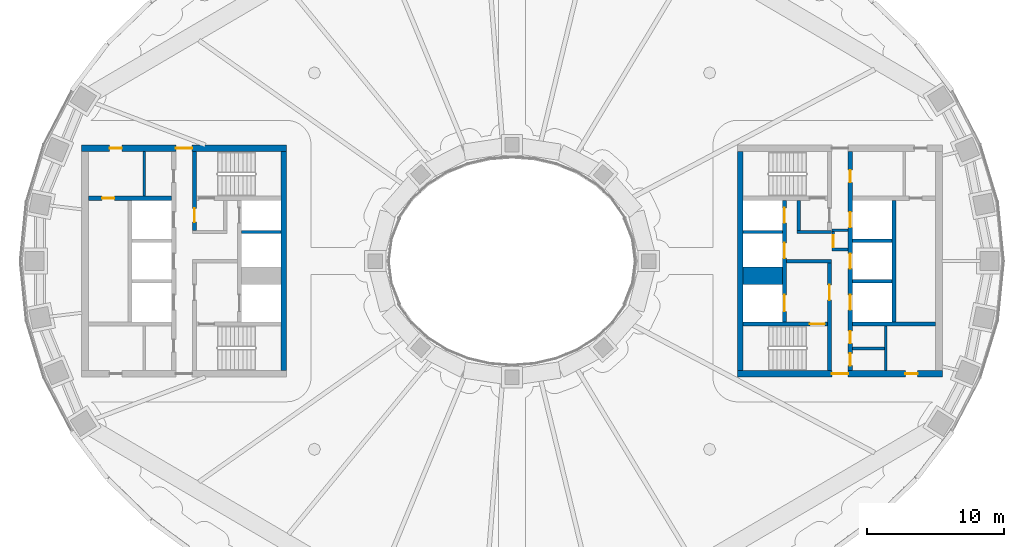
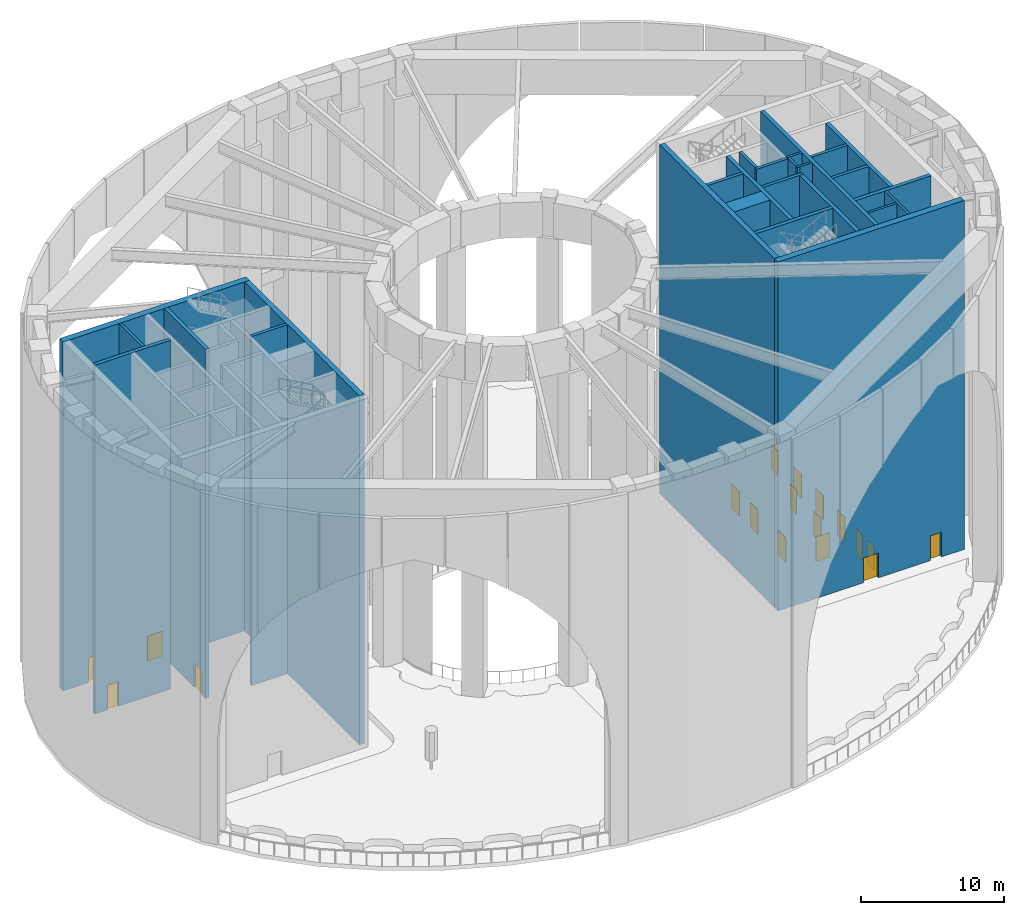
# One storey, part 4 of 26: 26 walls, 18 doors, 18 openings.
"""IFC4 building model written with IfcOpenShell, lengths in metres."""

from ifc_helpers import new_model, si_unit, direction, frame, frame_2d, origin, place, context, subcontext, project, spatial, rectangle, extrude, material, layer, layer_set, type_object, element, fill, save


model = new_model("IFC4")

# Units and contexts
model_context = context("Model", 3, precision=1e-05, world=origin(), true_north=direction((0.0, 1.0)))
body_context = subcontext(model_context, "Body", "Model", "MODEL_VIEW")
ifc_project = project(units=[si_unit("LENGTHUNIT", "METRE"), si_unit("AREAUNIT", "SQUARE_METRE"), si_unit("VOLUMEUNIT", "CUBIC_METRE"), si_unit("PLANEANGLEUNIT", "RADIAN"), si_unit("MASSUNIT", "GRAM", prefix="KILO")], contexts=[model_context])

# Site, building, storey
site_placement = place(None, origin())
site = spatial("IfcSite", under=ifc_project, at=site_placement, CompositionType="ELEMENT")
building_placement = place(site_placement, origin())
building = spatial("IfcBuilding", under=site, at=building_placement, Name="Noorbagh Ring Tower", CompositionType="ELEMENT")
storey_placement = place(building_placement, frame((0.0, 0.0, 203.5)))
storey = spatial("IfcBuildingStorey", under=building, at=storey_placement, Name="L47", CompositionType="ELEMENT", Elevation=203.5)

# Walls
ifc_material_1 = material(Name="Gypsum board on steel studs", Category="steel")
ifc_layer_1 = layer(ifc_material_1, 0.199951171875)
ifc_layer_set_1 = layer_set([ifc_layer_1], Name="Gypsum board on steel studs")
wall_type_1 = type_object("IfcWallType", Name="CORE-PARTITION-200", PredefinedType="PARTITIONING", material=ifc_layer_set_1)
wall_1_placement = place(storey_placement, frame((-26.89990234375, 4.75, 0.0), z_axis=(0.0, 0.0, 1.0), x_axis=(0.0, 1.0, 0.0)))
element("IfcWall", 1, at=wall_1_placement, inside=storey, type_object=wall_type_1, Name="Core partition W", PredefinedType="PARTITIONING", context=body_context, shape_type="SweptSolid", body=[
    extrude(rectangle(XDim=3.25, YDim=0.199951171875, at=frame_2d((1.625, 0.0))), origin(), (0.0, 0.0, 1.0), 29.699951171875),
])
for number, where, z_axis, x_axis, name in (
    (2, (23.39990234375, 0.85009765625, 0.0), (0.0, 0.0, 1.0), (1.0, 0.0, 0.0), "Core partition E"),
    (3, (23.39990234375, 2.25, 0.0), (0.0, 0.0, 1.0), (1.0, 0.0, 0.0), "Core partition E"),
):
    element("IfcWall", number, at=place(storey_placement, frame(where, z_axis=z_axis, x_axis=x_axis)), inside=storey, type_object=wall_type_1, Name=name, PredefinedType="PARTITIONING", context=body_context, shape_type="SweptSolid", body=[
        extrude(rectangle(XDim=1.2001953125, YDim=0.199951171875, at=frame_2d((0.60009765625, 0.0))), origin(), (0.0, 0.0, 1.0), 29.699951171875),
    ])

# Wall, opening, door
wall_2_placement = place(storey_placement, frame((23.5, 0.75, 0.0), z_axis=(0.0, 0.0, 1.0), x_axis=(0.0, 1.0, 0.0)))
wall_2 = element("IfcWall", 4, at=wall_2_placement, inside=storey, type_object=wall_type_1, Name="Core partition E", PredefinedType="PARTITIONING", context=body_context, shape_type="SweptSolid", body=[
    extrude(rectangle(XDim=1.60009765625, YDim=0.199951171875, at=frame_2d((0.800048828125, 0.0))), origin(), (0.0, 0.0, 1.0), 29.699951171875),
])
opening_1_placement = place(wall_2_placement, frame((0.25, 0.0, 0.0)))
opening_1 = element("IfcOpeningElement", 5, at=opening_1_placement, cuts=wall_2, Name="Opening L47-CE18", PredefinedType="OPENING", context=body_context, shape_type="SweptSolid", body=[
    extrude(rectangle(XDim=0.89990234375, YDim=2.10009765625, at=frame_2d((0.449951171875, 1.050048828125))), frame((0.0, 0.10986328125, 0.0), z_axis=(0.0, -1.0, 0.0), x_axis=(1.0, 0.0, 0.0)), (0.0, 0.0, 1.0), 0.219970703125),
])
ifc_material_2 = material(Name="Steel door leaf", Category="steel")
door_type_1 = type_object("IfcDoorType", Name="CORE-DOOR-DROOM", OperationType="SINGLE_SWING_LEFT", PredefinedType="DOOR", material=ifc_material_2)
door_1_placement = place(opening_1_placement, origin())
door_1 = element("IfcDoor", 6, at=door_1_placement, inside=storey, type_object=door_type_1, Name="Core room door L47-CE18", OperationType="SINGLE_SWING_LEFT", OverallHeight=2.10009765625, OverallWidth=0.89990234375, PredefinedType="DOOR", context=body_context, shape_type="SweptSolid", body=[
    extrude(rectangle(XDim=0.89990234375, YDim=2.10009765625, at=frame_2d((0.449951171875, 1.050048828125))), frame((0.0, 0.02490234375, 0.0), z_axis=(0.0, -1.0, 0.0), x_axis=(1.0, 0.0, 0.0)), (0.0, 0.0, 1.0), 0.050048828125),
])
fill(opening_1, door_1)

# Walls
wall_3_placement = place(storey_placement, frame((27.35009765625, -8.0, 0.0), z_axis=(0.0, 0.0, 1.0), x_axis=(0.0, 1.0, 0.0)))
element("IfcWall", 7, at=wall_3_placement, inside=storey, type_object=wall_type_1, Name="Core partition E", PredefinedType="PARTITIONING", context=body_context, shape_type="SweptSolid", body=[
    extrude(rectangle(XDim=3.25, YDim=0.199951171875, at=frame_2d((1.625, 0.0))), origin(), (0.0, 0.0, 1.0), 29.699951171875),
])
wall_4_placement = place(storey_placement, frame((24.89990234375, -6.39990234375, 0.0), z_axis=(0.0, 0.0, 1.0), x_axis=(1.0, 0.0, 0.0)))
element("IfcWall", 8, at=wall_4_placement, inside=storey, type_object=wall_type_1, Name="Core partition E", PredefinedType="PARTITIONING", context=body_context, shape_type="SweptSolid", body=[
    extrude(rectangle(XDim=2.35009765625, YDim=0.199951171875, at=frame_2d((1.175048828125, 0.0))), origin(), (0.0, 0.0, 1.0), 29.699951171875),
])
ifc_material_3 = material(Name="Concrete C60/75", Category="concrete")
ifc_layer_2 = layer(ifc_material_3, 1.25)
ifc_layer_set_2 = layer_set([ifc_layer_2], Name="Concrete C60/75")
wall_type_2 = type_object("IfcWallType", Name="CORE-WALL-1250-C60-75-EI120", PredefinedType="SHEAR", material=ifc_layer_set_2)
wall_5_placement = place(storey_placement, frame((16.89990234375, -1.074951171875, 0.0), z_axis=(0.0, 0.0, 1.0), x_axis=(1.0, 0.0, 0.0)))
element("IfcWall", 9, at=wall_5_placement, inside=storey, type_object=wall_type_2, Name="Core wall E", PredefinedType="SHEAR", context=body_context, shape_type="SweptSolid", body=[
    extrude(rectangle(XDim=2.900146484375, YDim=1.25, at=frame_2d((1.4501953125, 0.0))), origin(), (0.0, 0.0, 1.0), 29.699951171875),
])
ifc_material_4 = material(Name="Concrete C60/75", Category="concrete")
ifc_layer_3 = layer(ifc_material_4, 0.25)
ifc_layer_set_3 = layer_set([ifc_layer_3], Name="Concrete C60/75")
wall_type_3 = type_object("IfcWallType", Name="CORE-WALL-250-C60-75-EI120", PredefinedType="SHEAR", material=ifc_layer_set_3)
for number, where, z_axis, x_axis, name in (
    (10, (-16.89990234375, 2.125, 0.0), (0.0, 0.0, 1.0), (-1.0, 0.0, 0.0), "Core wall W"),
    (11, (16.89990234375, 2.125, 0.0), (0.0, 0.0, 1.0), (1.0, 0.0, 0.0), "Core wall E"),
    (12, (24.89990234375, -1.47509765625, 0.0), (0.0, 0.0, 1.0), (1.0, 0.0, 0.0), "Core wall E"),
    (13, (24.89990234375, 1.47509765625, 0.0), (0.0, 0.0, 1.0), (1.0, 0.0, 0.0), "Core wall E"),
):
    element("IfcWall", number, at=place(storey_placement, frame(where, z_axis=z_axis, x_axis=x_axis)), inside=storey, type_object=wall_type_3, Name=name, PredefinedType="SHEAR", context=body_context, shape_type="SweptSolid", body=[
        extrude(rectangle(XDim=2.900146484375, YDim=0.25, at=frame_2d((1.4501953125, 0.0))), origin(), (0.0, 0.0, 1.0), 29.699951171875),
    ])
ifc_material_5 = material(Name="Concrete C60/75", Category="concrete")
ifc_layer_4 = layer(ifc_material_5, 0.25)
ifc_layer_set_4 = layer_set([ifc_layer_4], Name="Concrete C60/75")
wall_type_4 = type_object("IfcWallType", Name="CORE-WALL-250-C60-75-EI240", PredefinedType="SHEAR", material=ifc_layer_set_4)
wall_6_placement = place(storey_placement, frame((20.10009765625, 0.0, 0.0), z_axis=(0.0, 0.0, 1.0), x_axis=(1.0, 0.0, 0.0)))
element("IfcWall", 14, at=wall_6_placement, inside=storey, type_object=wall_type_4, Name="Core wall E", PredefinedType="SHEAR", context=body_context, shape_type="SweptSolid", body=[
    extrude(rectangle(XDim=3.27978515625, YDim=0.25, at=frame_2d((1.639892578125, 0.0))), origin(), (0.0, 0.0, 1.0), 29.699951171875),
])
wall_7_placement = place(storey_placement, frame((20.85009765625, 2.125, 0.0), z_axis=(0.0, 0.0, 1.0), x_axis=(1.0, 0.0, 0.0)))
element("IfcWall", 15, at=wall_7_placement, inside=storey, type_object=wall_type_4, Name="Core wall E", PredefinedType="SHEAR", context=body_context, shape_type="SweptSolid", body=[
    extrude(rectangle(XDim=2.52978515625, YDim=0.25, at=frame_2d((1.264892578125, 0.0))), origin(), (0.0, 0.0, 1.0), 29.699951171875),
])
wall_8_placement = place(storey_placement, frame((20.97509765625, 2.25, 0.0), z_axis=(0.0, 0.0, 1.0), x_axis=(0.0, 1.0, 0.0)))
element("IfcWall", 16, at=wall_8_placement, inside=storey, type_object=wall_type_4, Name="Core wall E", PredefinedType="SHEAR", context=body_context, shape_type="SweptSolid", body=[
    extrude(rectangle(XDim=2.199951171875, YDim=0.25, at=frame_2d((1.10009765625, 0.0))), origin(), (0.0, 0.0, 1.0), 29.699951171875),
])
ifc_material_6 = material(Name="Concrete C60/75", Category="concrete")
ifc_layer_5 = layer(ifc_material_6, 0.300048828125)
ifc_layer_set_5 = layer_set([ifc_layer_5], Name="Concrete C60/75")
wall_type_5 = type_object("IfcWallType", Name="CORE-WALL-300-C60-75-EI120", PredefinedType="SHEAR", material=ifc_layer_set_5)
wall_9_placement = place(storey_placement, frame((27.949951171875, -4.449951171875, 0.0), z_axis=(0.0, 0.0, 1.0), x_axis=(0.0, 1.0, 0.0)))
element("IfcWall", 17, at=wall_9_placement, inside=storey, type_object=wall_type_5, Name="Core wall E", PredefinedType="SHEAR", context=body_context, shape_type="SweptSolid", body=[
    extrude(rectangle(XDim=8.89990234375, YDim=0.300048828125, at=frame_2d((4.449951171875, 0.0))), origin(), (0.0, 0.0, 1.0), 29.699951171875),
])

# Wall, openings, doors
wall_10_placement = place(storey_placement, frame((19.949951171875, -4.449951171875, 0.0), z_axis=(0.0, 0.0, 1.0), x_axis=(0.0, 1.0, 0.0)))
wall_10 = element("IfcWall", 18, at=wall_10_placement, inside=storey, type_object=wall_type_5, Name="Core wall E", PredefinedType="SHEAR", context=body_context, shape_type="SweptSolid", body=[
    extrude(rectangle(XDim=8.89990234375, YDim=0.300048828125, at=frame_2d((4.449951171875, 0.0))), origin(), (0.0, 0.0, 1.0), 29.699951171875),
])
opening_2_placement = place(wall_10_placement, frame((0.77490234375, 0.0, 0.0)))
opening_2 = element("IfcOpeningElement", 19, at=opening_2_placement, cuts=wall_10, Name="Opening L47-CE01", PredefinedType="OPENING", context=body_context, shape_type="SweptSolid", body=[
    extrude(rectangle(XDim=1.199951171875, YDim=2.10009765625, at=frame_2d((0.60009765625, 1.050048828125))), frame((0.0, 0.16015625, 0.0), z_axis=(0.0, -1.0, 0.0), x_axis=(1.0, 0.0, 0.0)), (0.0, 0.0, 1.0), 0.320068359375),
])
opening_3_placement = place(wall_10_placement, frame((4.675048828125, 0.0, 0.0)))
opening_3 = element("IfcOpeningElement", 20, at=opening_3_placement, cuts=wall_10, Name="Opening L47-CE02", PredefinedType="OPENING", context=body_context, shape_type="SweptSolid", body=[
    extrude(rectangle(XDim=1.10009765625, YDim=2.10009765625, at=frame_2d((0.550048828125, 1.050048828125))), frame((0.0, 0.16015625, 0.0), z_axis=(0.0, -1.0, 0.0), x_axis=(1.0, 0.0, 0.0)), (0.0, 0.0, 1.0), 0.320068359375),
])
opening_4_placement = place(wall_10_placement, frame((7.25, 0.0, 0.0)))
opening_4 = element("IfcOpeningElement", 21, at=opening_4_placement, cuts=wall_10, Name="Opening L47-CE03", PredefinedType="OPENING", context=body_context, shape_type="SweptSolid", body=[
    extrude(rectangle(XDim=1.10009765625, YDim=2.10009765625, at=frame_2d((0.550048828125, 1.050048828125))), frame((0.0, 0.16015625, 0.0), z_axis=(0.0, -1.0, 0.0), x_axis=(1.0, 0.0, 0.0)), (0.0, 0.0, 1.0), 0.320068359375),
])
ifc_material_7 = material(Name="Steel door leaf", Category="steel")
door_type_2 = type_object("IfcDoorType", Name="CORE-DOOR-LD", OperationType="DOUBLE_DOOR_SLIDING", PredefinedType="DOOR", material=ifc_material_7)
door_2_placement = place(opening_3_placement, origin())
door_2 = element("IfcDoor", 22, at=door_2_placement, inside=storey, type_object=door_type_2, Name="Landing door HR7 L47-CE02", OperationType="DOUBLE_DOOR_SLIDING", OverallHeight=2.10009765625, OverallWidth=1.10009765625, PredefinedType="DOOR", context=body_context, shape_type="SweptSolid", body=[
    extrude(rectangle(XDim=1.10009765625, YDim=2.10009765625, at=frame_2d((0.550048828125, 1.050048828125))), frame((0.0, 0.02490234375, 0.0), z_axis=(0.0, -1.0, 0.0), x_axis=(1.0, 0.0, 0.0)), (0.0, 0.0, 1.0), 0.050048828125),
])
fill(opening_3, door_2)
door_3_placement = place(opening_4_placement, origin())
door_3 = element("IfcDoor", 23, at=door_3_placement, inside=storey, type_object=door_type_2, Name="Landing door HR8 L47-CE03", OperationType="DOUBLE_DOOR_SLIDING", OverallHeight=2.10009765625, OverallWidth=1.10009765625, PredefinedType="DOOR", context=body_context, shape_type="SweptSolid", body=[
    extrude(rectangle(XDim=1.10009765625, YDim=2.10009765625, at=frame_2d((0.550048828125, 1.050048828125))), frame((0.0, 0.02490234375, 0.0), z_axis=(0.0, -1.0, 0.0), x_axis=(1.0, 0.0, 0.0)), (0.0, 0.0, 1.0), 0.050048828125),
])
fill(opening_4, door_3)
ifc_material_8 = material(Name="Steel door leaf", Category="steel")
door_type_3 = type_object("IfcDoorType", Name="CORE-DOOR-LDW", OperationType="DOUBLE_DOOR_SLIDING", PredefinedType="DOOR", material=ifc_material_8)
door_4_placement = place(opening_2_placement, origin())
door_4 = element("IfcDoor", 24, at=door_4_placement, inside=storey, type_object=door_type_3, Name="Landing door FF2 L47-CE01", OperationType="DOUBLE_DOOR_SLIDING", OverallHeight=2.10009765625, OverallWidth=1.199951171875, PredefinedType="DOOR", context=body_context, shape_type="SweptSolid", body=[
    extrude(rectangle(XDim=1.199951171875, YDim=2.10009765625, at=frame_2d((0.60009765625, 1.050048828125))), frame((0.0, 0.02490234375, 0.0), z_axis=(0.0, -1.0, 0.0), x_axis=(1.0, 0.0, 0.0)), (0.0, 0.0, 1.0), 0.050048828125),
])
fill(opening_2, door_4)

wall_11_placement = place(storey_placement, frame((24.75, -8.0, 0.0), z_axis=(0.0, 0.0, 1.0), x_axis=(0.0, 1.0, 0.0)))
wall_11 = element("IfcWall", 25, at=wall_11_placement, inside=storey, type_object=wall_type_5, Name="Core wall E", PredefinedType="SHEAR", context=body_context, shape_type="SweptSolid", body=[
    extrude(rectangle(XDim=16.0, YDim=0.300048828125, at=frame_2d((8.0, 0.0))), origin(), (0.0, 0.0, 1.0), 29.699951171875),
])
opening_5_placement = place(wall_11_placement, frame((4.425048828125, 0.0, 0.0)))
opening_5 = element("IfcOpeningElement", 26, at=opening_5_placement, cuts=wall_11, Name="Opening L47-CE04", PredefinedType="OPENING", context=body_context, shape_type="SweptSolid", body=[
    extrude(rectangle(XDim=1.10009765625, YDim=2.10009765625, at=frame_2d((0.550048828125, 1.050048828125))), frame((0.0, 0.16015625, 0.0), z_axis=(0.0, -1.0, 0.0), x_axis=(1.0, 0.0, 0.0)), (0.0, 0.0, 1.0), 0.320068359375),
])
opening_6_placement = place(wall_11_placement, frame((7.449951171875, 0.0, 0.0)))
opening_6 = element("IfcOpeningElement", 27, at=opening_6_placement, cuts=wall_11, Name="Opening L47-CE05", PredefinedType="OPENING", context=body_context, shape_type="SweptSolid", body=[
    extrude(rectangle(XDim=1.10009765625, YDim=2.10009765625, at=frame_2d((0.550048828125, 1.050048828125))), frame((0.0, 0.16015625, 0.0), z_axis=(0.0, -1.0, 0.0), x_axis=(1.0, 0.0, 0.0)), (0.0, 0.0, 1.0), 0.320068359375),
])
opening_7_placement = place(wall_11_placement, frame((10.47509765625, 0.0, 0.0)))
opening_7 = element("IfcOpeningElement", 28, at=opening_7_placement, cuts=wall_11, Name="Opening L47-CE06", PredefinedType="OPENING", context=body_context, shape_type="SweptSolid", body=[
    extrude(rectangle(XDim=1.10009765625, YDim=2.10009765625, at=frame_2d((0.550048828125, 1.050048828125))), frame((0.0, 0.16015625, 0.0), z_axis=(0.0, -1.0, 0.0), x_axis=(1.0, 0.0, 0.0)), (0.0, 0.0, 1.0), 0.320068359375),
])
opening_8_placement = place(wall_11_placement, frame((13.75, 0.0, 0.0)))
opening_8 = element("IfcOpeningElement", 29, at=opening_8_placement, cuts=wall_11, Name="Opening L47-CE13", PredefinedType="OPENING", context=body_context, shape_type="SweptSolid", body=[
    extrude(rectangle(XDim=0.89990234375, YDim=2.10009765625, at=frame_2d((0.449951171875, 1.050048828125))), frame((0.0, 0.16015625, 0.0), z_axis=(0.0, -1.0, 0.0), x_axis=(1.0, 0.0, 0.0)), (0.0, 0.0, 1.0), 0.320068359375),
])
opening_9_placement = place(wall_11_placement, frame((1.97509765625, 0.0, 0.0)))
opening_9 = element("IfcOpeningElement", 30, at=opening_9_placement, cuts=wall_11, Name="Opening L47-CE15", PredefinedType="OPENING", context=body_context, shape_type="SweptSolid", body=[
    extrude(rectangle(XDim=0.89990234375, YDim=2.10009765625, at=frame_2d((0.449951171875, 1.050048828125))), frame((0.0, 0.16015625, 0.0), z_axis=(0.0, -1.0, 0.0), x_axis=(1.0, 0.0, 0.0)), (0.0, 0.0, 1.0), 0.320068359375),
])
opening_10_placement = place(wall_11_placement, frame((0.35009765625, 0.0, 0.0)))
opening_10 = element("IfcOpeningElement", 31, at=opening_10_placement, cuts=wall_11, Name="Opening L47-CE16", PredefinedType="OPENING", context=body_context, shape_type="SweptSolid", body=[
    extrude(rectangle(XDim=0.89990234375, YDim=2.10009765625, at=frame_2d((0.449951171875, 1.050048828125))), frame((0.0, 0.16015625, 0.0), z_axis=(0.0, -1.0, 0.0), x_axis=(1.0, 0.0, 0.0)), (0.0, 0.0, 1.0), 0.320068359375),
])
door_5_placement = place(opening_8_placement, origin())
door_5 = element("IfcDoor", 32, at=door_5_placement, inside=storey, type_object=door_type_1, Name="Core room door L47-CE13", OperationType="SINGLE_SWING_LEFT", OverallHeight=2.10009765625, OverallWidth=0.89990234375, PredefinedType="DOOR", context=body_context, shape_type="SweptSolid", body=[
    extrude(rectangle(XDim=0.89990234375, YDim=2.10009765625, at=frame_2d((0.449951171875, 1.050048828125))), frame((0.0, 0.02490234375, 0.0), z_axis=(0.0, -1.0, 0.0), x_axis=(1.0, 0.0, 0.0)), (0.0, 0.0, 1.0), 0.050048828125),
])
fill(opening_8, door_5)
door_6_placement = place(opening_9_placement, origin())
door_6 = element("IfcDoor", 33, at=door_6_placement, inside=storey, type_object=door_type_1, Name="Core room door L47-CE15", OperationType="SINGLE_SWING_LEFT", OverallHeight=2.10009765625, OverallWidth=0.89990234375, PredefinedType="DOOR", context=body_context, shape_type="SweptSolid", body=[
    extrude(rectangle(XDim=0.89990234375, YDim=2.10009765625, at=frame_2d((0.449951171875, 1.050048828125))), frame((0.0, 0.02490234375, 0.0), z_axis=(0.0, -1.0, 0.0), x_axis=(1.0, 0.0, 0.0)), (0.0, 0.0, 1.0), 0.050048828125),
])
fill(opening_9, door_6)
door_7_placement = place(opening_10_placement, origin())
door_7 = element("IfcDoor", 34, at=door_7_placement, inside=storey, type_object=door_type_1, Name="Core room door L47-CE16", OperationType="SINGLE_SWING_RIGHT", OverallHeight=2.10009765625, OverallWidth=0.89990234375, PredefinedType="DOOR", context=body_context, shape_type="SweptSolid", body=[
    extrude(rectangle(XDim=0.89990234375, YDim=2.10009765625, at=frame_2d((0.449951171875, 1.050048828125))), frame((0.0, 0.02490234375, 0.0), z_axis=(0.0, -1.0, 0.0), x_axis=(1.0, 0.0, 0.0)), (0.0, 0.0, 1.0), 0.050048828125),
])
fill(opening_10, door_7)
door_8_placement = place(opening_5_placement, origin())
door_8 = element("IfcDoor", 35, at=door_8_placement, inside=storey, type_object=door_type_2, Name="Landing door HR9 L47-CE04", OperationType="DOUBLE_DOOR_SLIDING", OverallHeight=2.10009765625, OverallWidth=1.10009765625, PredefinedType="DOOR", context=body_context, shape_type="SweptSolid", body=[
    extrude(rectangle(XDim=1.10009765625, YDim=2.10009765625, at=frame_2d((0.550048828125, 1.050048828125))), frame((0.0, 0.02490234375, 0.0), z_axis=(0.0, -1.0, 0.0), x_axis=(1.0, 0.0, 0.0)), (0.0, 0.0, 1.0), 0.050048828125),
])
fill(opening_5, door_8)
door_9_placement = place(opening_6_placement, origin())
door_9 = element("IfcDoor", 36, at=door_9_placement, inside=storey, type_object=door_type_2, Name="Landing door HR10 L47-CE05", OperationType="DOUBLE_DOOR_SLIDING", OverallHeight=2.10009765625, OverallWidth=1.10009765625, PredefinedType="DOOR", context=body_context, shape_type="SweptSolid", body=[
    extrude(rectangle(XDim=1.10009765625, YDim=2.10009765625, at=frame_2d((0.550048828125, 1.050048828125))), frame((0.0, 0.02490234375, 0.0), z_axis=(0.0, -1.0, 0.0), x_axis=(1.0, 0.0, 0.0)), (0.0, 0.0, 1.0), 0.050048828125),
])
fill(opening_6, door_9)
door_10_placement = place(opening_7_placement, origin())
door_10 = element("IfcDoor", 37, at=door_10_placement, inside=storey, type_object=door_type_2, Name="Landing door HR11 L47-CE06", OperationType="DOUBLE_DOOR_SLIDING", OverallHeight=2.10009765625, OverallWidth=1.10009765625, PredefinedType="DOOR", context=body_context, shape_type="SweptSolid", body=[
    extrude(rectangle(XDim=1.10009765625, YDim=2.10009765625, at=frame_2d((0.550048828125, 1.050048828125))), frame((0.0, 0.02490234375, 0.0), z_axis=(0.0, -1.0, 0.0), x_axis=(1.0, 0.0, 0.0)), (0.0, 0.0, 1.0), 0.050048828125),
])
fill(opening_7, door_10)

# Wall, opening, door
ifc_material_9 = material(Name="Concrete C60/75", Category="concrete")
ifc_layer_6 = layer(ifc_material_9, 0.300048828125)
ifc_layer_set_6 = layer_set([ifc_layer_6], Name="Concrete C60/75")
wall_type_6 = type_object("IfcWallType", Name="CORE-WALL-300-C60-75-EI240", PredefinedType="SHEAR", material=ifc_layer_set_6)
wall_12_placement = place(storey_placement, frame((-24.89990234375, 4.60009765625, 0.0), z_axis=(0.0, 0.0, 1.0), x_axis=(-1.0, 0.0, 0.0)))
wall_12 = element("IfcWall", 38, at=wall_12_placement, inside=storey, type_object=wall_type_6, Name="Core wall W", PredefinedType="SHEAR", context=body_context, shape_type="SweptSolid", body=[
    extrude(rectangle(XDim=6.10009765625, YDim=0.300048828125, at=frame_2d((3.050048828125, 0.0))), origin(), (0.0, 0.0, 1.0), 29.699951171875),
])
opening_11_placement = place(wall_12_placement, frame((4.199951171875, 0.0, 0.0)))
opening_11 = element("IfcOpeningElement", 39, at=opening_11_placement, cuts=wall_12, Name="Opening L47-CW16", PredefinedType="OPENING", context=body_context, shape_type="SweptSolid", body=[
    extrude(rectangle(XDim=0.89990234375, YDim=2.10009765625, at=frame_2d((0.449951171875, 1.050048828125))), frame((0.0, 0.16015625, 0.0), z_axis=(0.0, -1.0, 0.0), x_axis=(1.0, 0.0, 0.0)), (0.0, 0.0, 1.0), 0.320068359375),
])
door_11_placement = place(opening_11_placement, origin())
door_11 = element("IfcDoor", 40, at=door_11_placement, inside=storey, type_object=door_type_1, Name="Core room door L47-CW16", OperationType="SINGLE_SWING_LEFT", OverallHeight=2.10009765625, OverallWidth=0.89990234375, PredefinedType="DOOR", context=body_context, shape_type="SweptSolid", body=[
    extrude(rectangle(XDim=0.89990234375, YDim=2.10009765625, at=frame_2d((0.449951171875, 1.050048828125))), frame((0.0, 0.02490234375, 0.0), z_axis=(0.0, -1.0, 0.0), x_axis=(1.0, 0.0, 0.0)), (0.0, 0.0, 1.0), 0.050048828125),
])
fill(opening_11, door_11)

wall_13_placement = place(storey_placement, frame((-23.22998046875, 2.25, 0.0), z_axis=(0.0, 0.0, 1.0), x_axis=(0.0, 1.0, 0.0)))
wall_13 = element("IfcWall", 41, at=wall_13_placement, inside=storey, type_object=wall_type_6, Name="Core wall W", PredefinedType="SHEAR", context=body_context, shape_type="SweptSolid", body=[
    extrude(rectangle(XDim=5.75, YDim=0.300048828125, at=frame_2d((2.875, 0.0))), origin(), (0.0, 0.0, 1.0), 29.699951171875),
])
opening_12_placement = place(wall_13_placement, frame((0.60009765625, 0.0, 0.0)))
opening_12 = element("IfcOpeningElement", 42, at=opening_12_placement, cuts=wall_13, Name="Opening L47-CW09", PredefinedType="OPENING", context=body_context, shape_type="SweptSolid", body=[
    extrude(rectangle(XDim=1.0, YDim=2.10009765625, at=frame_2d((0.5, 1.050048828125))), frame((0.0, 0.16015625, 0.0), z_axis=(0.0, -1.0, 0.0), x_axis=(1.0, 0.0, 0.0)), (0.0, 0.0, 1.0), 0.320068359375),
])
ifc_material_10 = material(Name="Steel door leaf", Category="steel")
door_type_4 = type_object("IfcDoorType", Name="CORE-DOOR-DVEST", OperationType="SINGLE_SWING_LEFT", PredefinedType="DOOR", material=ifc_material_10)
door_12_placement = place(opening_12_placement, origin())
door_12 = element("IfcDoor", 43, at=door_12_placement, inside=storey, type_object=door_type_4, Name="Stair vestibule door L47-CW09", OperationType="SINGLE_SWING_LEFT", OverallHeight=2.10009765625, OverallWidth=1.0, PredefinedType="DOOR", context=body_context, shape_type="SweptSolid", body=[
    extrude(rectangle(XDim=1.0, YDim=2.10009765625, at=frame_2d((0.5, 1.050048828125))), frame((0.0, 0.02490234375, 0.0), z_axis=(0.0, -1.0, 0.0), x_axis=(1.0, 0.0, 0.0)), (0.0, 0.0, 1.0), 0.050048828125),
])
fill(opening_12, door_12)

# Wall
wall_14_placement = place(storey_placement, frame((24.89990234375, -4.60009765625, 0.0), z_axis=(0.0, 0.0, 1.0), x_axis=(1.0, 0.0, 0.0)))
element("IfcWall", 44, at=wall_14_placement, inside=storey, type_object=wall_type_6, Name="Core wall E", PredefinedType="SHEAR", context=body_context, shape_type="SweptSolid", body=[
    extrude(rectangle(XDim=6.10009765625, YDim=0.300048828125, at=frame_2d((3.050048828125, 0.0))), origin(), (0.0, 0.0, 1.0), 29.699951171875),
])

# Wall, opening, door
wall_15_placement = place(storey_placement, frame((23.22998046875, -8.0, 0.0), z_axis=(0.0, 0.0, 1.0), x_axis=(0.0, 1.0, 0.0)))
wall_15 = element("IfcWall", 45, at=wall_15_placement, inside=storey, type_object=wall_type_6, Name="Core wall E", PredefinedType="SHEAR", context=body_context, shape_type="SweptSolid", body=[
    extrude(rectangle(XDim=7.875, YDim=0.300048828125, at=frame_2d((3.9375, 0.0))), origin(), (0.0, 0.0, 1.0), 29.699951171875),
])
opening_13_placement = place(wall_15_placement, frame((5.14990234375, 0.0, 0.0)))
opening_13 = element("IfcOpeningElement", 46, at=opening_13_placement, cuts=wall_15, Name="Opening L47-CE09", PredefinedType="OPENING", context=body_context, shape_type="SweptSolid", body=[
    extrude(rectangle(XDim=1.10009765625, YDim=2.10009765625, at=frame_2d((0.550048828125, 1.050048828125))), frame((0.0, 0.16015625, 0.0), z_axis=(0.0, -1.0, 0.0), x_axis=(1.0, 0.0, 0.0)), (0.0, 0.0, 1.0), 0.320068359375),
])
ifc_material_11 = material(Name="Steel door leaf", Category="steel")
door_type_5 = type_object("IfcDoorType", Name="CORE-DOOR-DFF", OperationType="SINGLE_SWING_LEFT", PredefinedType="DOOR", material=ifc_material_11)
door_13_placement = place(opening_13_placement, origin())
door_13 = element("IfcDoor", 47, at=door_13_placement, inside=storey, type_object=door_type_5, Name="Firefighting lobby door L47-CE09", OperationType="SINGLE_SWING_RIGHT", OverallHeight=2.10009765625, OverallWidth=1.10009765625, PredefinedType="DOOR", context=body_context, shape_type="SweptSolid", body=[
    extrude(rectangle(XDim=1.10009765625, YDim=2.10009765625, at=frame_2d((0.550048828125, 1.050048828125))), frame((0.0, 0.02490234375, 0.0), z_axis=(0.0, -1.0, 0.0), x_axis=(1.0, 0.0, 0.0)), (0.0, 0.0, 1.0), 0.050048828125),
])
fill(opening_13, door_13)

wall_16_placement = place(storey_placement, frame((16.89990234375, -4.60009765625, 0.0), z_axis=(0.0, 0.0, 1.0), x_axis=(1.0, 0.0, 0.0)))
wall_16 = element("IfcWall", 48, at=wall_16_placement, inside=storey, type_object=wall_type_6, Name="Core wall E", PredefinedType="SHEAR", context=body_context, shape_type="SweptSolid", body=[
    extrude(rectangle(XDim=6.18017578125, YDim=0.300048828125, at=frame_2d((3.090087890625, 0.0))), origin(), (0.0, 0.0, 1.0), 29.699951171875),
])
opening_14_placement = place(wall_16_placement, frame((4.89990234375, 0.0, 0.0)))
opening_14 = element("IfcOpeningElement", 49, at=opening_14_placement, cuts=wall_16, Name="Opening L47-CE08", PredefinedType="OPENING", context=body_context, shape_type="SweptSolid", body=[
    extrude(rectangle(XDim=1.10009765625, YDim=2.10009765625, at=frame_2d((0.550048828125, 1.050048828125))), frame((0.0, 0.16015625, 0.0), z_axis=(0.0, -1.0, 0.0), x_axis=(1.0, 0.0, 0.0)), (0.0, 0.0, 1.0), 0.320068359375),
])
ifc_material_12 = material(Name="Steel door leaf", Category="steel")
door_type_6 = type_object("IfcDoorType", Name="CORE-DOOR-DSTAIR", OperationType="SINGLE_SWING_LEFT", PredefinedType="DOOR", material=ifc_material_12)
door_14_placement = place(opening_14_placement, origin())
door_14 = element("IfcDoor", 50, at=door_14_placement, inside=storey, type_object=door_type_6, Name="Stair door ST4 L47-CE08", OperationType="SINGLE_SWING_RIGHT", OverallHeight=2.10009765625, OverallWidth=1.10009765625, PredefinedType="DOOR", context=body_context, shape_type="SweptSolid", body=[
    extrude(rectangle(XDim=1.10009765625, YDim=2.10009765625, at=frame_2d((0.550048828125, 1.050048828125))), frame((0.0, 0.02490234375, 0.0), z_axis=(0.0, -1.0, 0.0), x_axis=(1.0, 0.0, 0.0)), (0.0, 0.0, 1.0), 0.050048828125),
])
fill(opening_14, door_14)

# Walls
ifc_material_13 = material(Name="Concrete C60/75", Category="concrete")
ifc_layer_7 = layer(ifc_material_13, 0.39990234375)
ifc_layer_set_7 = layer_set([ifc_layer_7], Name="Concrete C60/75")
wall_type_7 = type_object("IfcWallType", Name="CORE-WALL-400-C60-75-EI240", PredefinedType="SHEAR", material=ifc_layer_set_7)
for number, where, z_axis, x_axis, name in (
    (51, (-16.699951171875, -8.0, 0.0), (0.0, 0.0, 1.0), (0.0, 1.0, 0.0), "Core wall W"),
    (52, (16.699951171875, -8.0, 0.0), (0.0, 0.0, 1.0), (0.0, 1.0, 0.0), "Core wall E"),
):
    element("IfcWall", number, at=place(storey_placement, frame(where, z_axis=z_axis, x_axis=x_axis)), inside=storey, type_object=wall_type_7, Name=name, PredefinedType="SHEAR", context=body_context, shape_type="SweptSolid", body=[
        extrude(rectangle(XDim=16.0, YDim=0.39990234375, at=frame_2d((8.0, 0.0))), origin(), (0.0, 0.0, 1.0), 29.699951171875),
    ])

# Wall, openings, doors
ifc_material_14 = material(Name="Concrete C60/75", Category="concrete")
ifc_layer_8 = layer(ifc_material_14, 0.5)
ifc_layer_set_8 = layer_set([ifc_layer_8], Name="Concrete C60/75")
wall_type_8 = type_object("IfcWallType", Name="CORE-WALL-500-C60-75-EI240", PredefinedType="SHEAR", material=ifc_layer_set_8)
wall_17_placement = place(storey_placement, frame((-16.5, 8.25, 0.0), z_axis=(0.0, 0.0, 1.0), x_axis=(-1.0, 0.0, 0.0)))
wall_17 = element("IfcWall", 53, at=wall_17_placement, inside=storey, type_object=wall_type_8, Name="Core wall W", PredefinedType="SHEAR", context=body_context, shape_type="SweptSolid", body=[
    extrude(rectangle(XDim=15.0, YDim=0.5, at=frame_2d((7.5, 0.0))), origin(), (0.0, 0.0, 1.0), 29.699951171875),
])
opening_15_placement = place(wall_17_placement, frame((6.89990234375, 0.0, 0.0)))
opening_15 = element("IfcOpeningElement", 54, at=opening_15_placement, cuts=wall_17, Name="Opening L47-CW10", PredefinedType="OPENING", context=body_context, shape_type="SweptSolid", body=[
    extrude(rectangle(XDim=1.199951171875, YDim=2.10009765625, at=frame_2d((0.60009765625, 1.050048828125))), frame((0.0, 0.260009765625, 0.0), z_axis=(0.0, -1.0, 0.0), x_axis=(1.0, 0.0, 0.0)), (0.0, 0.0, 1.0), 0.52001953125),
])
opening_16_placement = place(wall_17_placement, frame((12.050048828125, 0.0, 0.0)))
opening_16 = element("IfcOpeningElement", 55, at=opening_16_placement, cuts=wall_17, Name="Opening L47-CW13", PredefinedType="OPENING", context=body_context, shape_type="SweptSolid", body=[
    extrude(rectangle(XDim=0.89990234375, YDim=2.10009765625, at=frame_2d((0.449951171875, 1.050048828125))), frame((0.0, 0.260009765625, 0.0), z_axis=(0.0, -1.0, 0.0), x_axis=(1.0, 0.0, 0.0)), (0.0, 0.0, 1.0), 0.52001953125),
])
door_15_placement = place(opening_16_placement, origin())
door_15 = element("IfcDoor", 56, at=door_15_placement, inside=storey, type_object=door_type_1, Name="Core room door L47-CW13", OperationType="SINGLE_SWING_RIGHT", OverallHeight=2.10009765625, OverallWidth=0.89990234375, PredefinedType="DOOR", context=body_context, shape_type="SweptSolid", body=[
    extrude(rectangle(XDim=0.89990234375, YDim=2.10009765625, at=frame_2d((0.449951171875, 1.050048828125))), frame((0.0, 0.02490234375, 0.0), z_axis=(0.0, -1.0, 0.0), x_axis=(1.0, 0.0, 0.0)), (0.0, 0.0, 1.0), 0.050048828125),
])
fill(opening_16, door_15)
ifc_material_15 = material(Name="Steel door leaf", Category="steel")
door_type_7 = type_object("IfcDoorType", Name="CORE-DOOR-PORT", OperationType="DOUBLE_DOOR_DOUBLE_SWING", PredefinedType="DOOR", material=ifc_material_15)
door_16_placement = place(opening_15_placement, origin())
door_16 = element("IfcDoor", 57, at=door_16_placement, inside=storey, type_object=door_type_7, Name="Core entrance door L47-CW10", OperationType="DOUBLE_DOOR_DOUBLE_SWING", OverallHeight=2.10009765625, OverallWidth=1.199951171875, PredefinedType="DOOR", context=body_context, shape_type="SweptSolid", body=[
    extrude(rectangle(XDim=1.199951171875, YDim=2.10009765625, at=frame_2d((0.60009765625, 1.050048828125))), frame((0.0, 0.02490234375, 0.0), z_axis=(0.0, -1.0, 0.0), x_axis=(1.0, 0.0, 0.0)), (0.0, 0.0, 1.0), 0.050048828125),
])
fill(opening_15, door_16)

wall_18_placement = place(storey_placement, frame((16.5, -8.25, 0.0), z_axis=(0.0, 0.0, 1.0), x_axis=(1.0, 0.0, 0.0)))
wall_18 = element("IfcWall", 58, at=wall_18_placement, inside=storey, type_object=wall_type_8, Name="Core wall E", PredefinedType="SHEAR", context=body_context, shape_type="SweptSolid", body=[
    extrude(rectangle(XDim=15.0, YDim=0.5, at=frame_2d((7.5, 0.0))), origin(), (0.0, 0.0, 1.0), 29.699951171875),
])
opening_17_placement = place(wall_18_placement, frame((6.89990234375, 0.0, 0.0)))
opening_17 = element("IfcOpeningElement", 59, at=opening_17_placement, cuts=wall_18, Name="Opening L47-CE12", PredefinedType="OPENING", context=body_context, shape_type="SweptSolid", body=[
    extrude(rectangle(XDim=1.199951171875, YDim=2.10009765625, at=frame_2d((0.60009765625, 1.050048828125))), frame((0.0, 0.260009765625, 0.0), z_axis=(0.0, -1.0, 0.0), x_axis=(1.0, 0.0, 0.0)), (0.0, 0.0, 1.0), 0.52001953125),
])
opening_18_placement = place(wall_18_placement, frame((12.27490234375, 0.0, 0.0)))
opening_18 = element("IfcOpeningElement", 60, at=opening_18_placement, cuts=wall_18, Name="Opening L47-CE17", PredefinedType="OPENING", context=body_context, shape_type="SweptSolid", body=[
    extrude(rectangle(XDim=0.89990234375, YDim=2.10009765625, at=frame_2d((0.449951171875, 1.050048828125))), frame((0.0, 0.260009765625, 0.0), z_axis=(0.0, -1.0, 0.0), x_axis=(1.0, 0.0, 0.0)), (0.0, 0.0, 1.0), 0.52001953125),
])
door_17_placement = place(opening_18_placement, origin())
door_17 = element("IfcDoor", 61, at=door_17_placement, inside=storey, type_object=door_type_1, Name="Core room door L47-CE17", OperationType="SINGLE_SWING_RIGHT", OverallHeight=2.10009765625, OverallWidth=0.89990234375, PredefinedType="DOOR", context=body_context, shape_type="SweptSolid", body=[
    extrude(rectangle(XDim=0.89990234375, YDim=2.10009765625, at=frame_2d((0.449951171875, 1.050048828125))), frame((0.0, 0.02490234375, 0.0), z_axis=(0.0, -1.0, 0.0), x_axis=(1.0, 0.0, 0.0)), (0.0, 0.0, 1.0), 0.050048828125),
])
fill(opening_18, door_17)
door_18_placement = place(opening_17_placement, origin())
door_18 = element("IfcDoor", 62, at=door_18_placement, inside=storey, type_object=door_type_7, Name="Core entrance door L47-CE12", OperationType="DOUBLE_DOOR_DOUBLE_SWING", OverallHeight=2.10009765625, OverallWidth=1.199951171875, PredefinedType="DOOR", context=body_context, shape_type="SweptSolid", body=[
    extrude(rectangle(XDim=1.199951171875, YDim=2.10009765625, at=frame_2d((0.60009765625, 1.050048828125))), frame((0.0, 0.02490234375, 0.0), z_axis=(0.0, -1.0, 0.0), x_axis=(1.0, 0.0, 0.0)), (0.0, 0.0, 1.0), 0.050048828125),
])
fill(opening_17, door_18)

save(model, "model.ifc")
